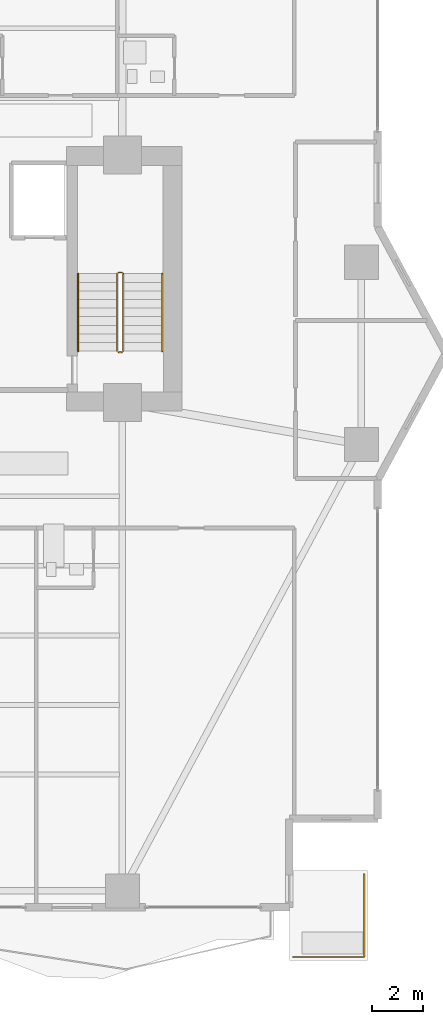
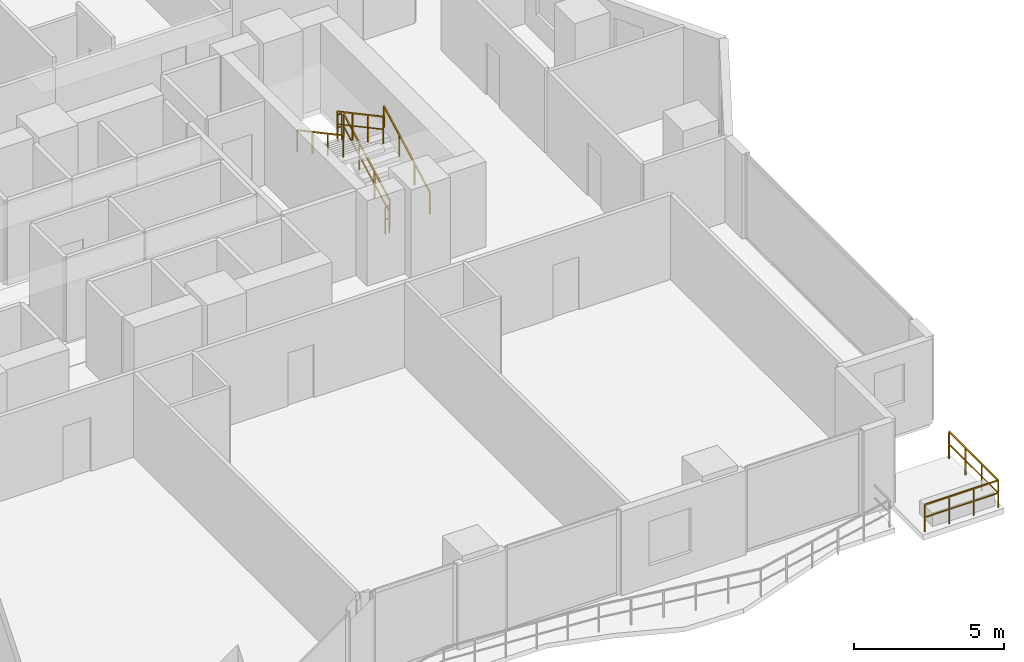
# One storey, part 28 of 30: 7 railings.
"""IFC4 building model written with IfcOpenShell, lengths in metres."""

from ifc_helpers import new_model, si_unit, direction, frame, origin, origin_2d, place, context, subcontext, project, spatial, rectangle, extrude, material, type_object, element, save


model = new_model("IFC4")

# Units and contexts
model_context = context("Model", 3, precision=1e-05, world=origin(), true_north=direction((0.0, 1.0)))
body_context = subcontext(model_context, "Body", "Model", "MODEL_VIEW")
ifc_project = project(units=[si_unit("LENGTHUNIT", "METRE"), si_unit("AREAUNIT", "SQUARE_METRE"), si_unit("VOLUMEUNIT", "CUBIC_METRE"), si_unit("PLANEANGLEUNIT", "RADIAN"), si_unit("MASSUNIT", "GRAM", prefix="KILO")], contexts=[model_context])

# Site, building, storey
site_placement = place(None, origin())
site = spatial("IfcSite", under=ifc_project, at=site_placement, CompositionType="ELEMENT")
building_placement = place(site_placement, origin())
building = spatial("IfcBuilding", under=site, at=building_placement, Name="Zuhayl Quay Hotel", CompositionType="ELEMENT")
storey_placement = place(building_placement, frame((0.0, 0.0, 135.800048828125)))
storey = spatial("IfcBuildingStorey", under=building, at=storey_placement, Name="L34", CompositionType="ELEMENT", Elevation=135.800048828125)

# Railings
ifc_material_1 = material(Name="Anodised Aluminium and Laminated Glass", Category="aluminium")
railing_type_1 = type_object("IfcRailingType", Name="RL_EXT_BAL_1100", PredefinedType="BALUSTRADE", material=ifc_material_1)
railing_1_placement = place(storey_placement, frame((20.5400390625, -17.360107421875, 0.0)))
element("IfcRailing", 1, at=railing_1_placement, inside=storey, type_object=railing_type_1, Name="L34 Balcony and Terrace Guard GR_L34_SPIRAL_SE", PredefinedType="BALUSTRADE", context=body_context, shape_type="SweptSolid", body=[
    extrude(rectangle(XDim=0.048095703125, YDim=0.048095703125, at=origin_2d()), frame((0.0, 0.0, 1.09619140625), z_axis=(1.0, 0.0, 0.0), x_axis=(0.0, 1.0, 0.0)), (0.0, 0.0, 1.0), 2.820068359375),
    extrude(rectangle(XDim=0.0361328125, YDim=0.0361328125, at=origin_2d()), frame((0.0, 0.0, 0.58251953125), z_axis=(1.0, 0.0, 0.0), x_axis=(0.0, 1.0, 0.0)), (0.0, 0.0, 1.0), 2.820068359375),
    extrude(rectangle(XDim=0.048095703125, YDim=0.048095703125, at=origin_2d()), frame((2.820068359375, 0.0, 1.09619140625), z_axis=(0.0, 1.0, 0.0), x_axis=(-1.0, 0.0, 0.0)), (0.0, 0.0, 1.0), 3.27001953125),
    extrude(rectangle(XDim=0.0361328125, YDim=0.0361328125, at=origin_2d()), frame((2.820068359375, 0.0, 0.58251953125), z_axis=(0.0, 1.0, 0.0), x_axis=(-1.0, 0.0, 0.0)), (0.0, 0.0, 1.0), 3.27001953125),
    extrude(rectangle(XDim=0.0419921875, YDim=0.0419921875, at=origin_2d()), origin(), (0.0, 0.0, 1.0), 1.072021484375),
    extrude(rectangle(XDim=0.0419921875, YDim=0.0419921875, at=origin_2d()), frame((0.93994140625, 0.0, 0.0)), (0.0, 0.0, 1.0), 1.072021484375),
    extrude(rectangle(XDim=0.0419921875, YDim=0.0419921875, at=origin_2d()), frame((1.880126953125, 0.0, 0.0)), (0.0, 0.0, 1.0), 1.072021484375),
    extrude(rectangle(XDim=0.0419921875, YDim=0.0419921875, at=origin_2d()), frame((2.820068359375, 0.0, 0.0)), (0.0, 0.0, 1.0), 1.072021484375),
    extrude(rectangle(XDim=0.0419921875, YDim=0.0419921875, at=origin_2d()), frame((2.820068359375, 1.090087890625, 0.0)), (0.0, 0.0, 1.0), 1.072021484375),
    extrude(rectangle(XDim=0.0419921875, YDim=0.0419921875, at=origin_2d()), frame((2.820068359375, 2.179931640625, 0.0)), (0.0, 0.0, 1.0), 1.072021484375),
    extrude(rectangle(XDim=0.0419921875, YDim=0.0419921875, at=origin_2d()), frame((2.820068359375, 3.27001953125, 0.0)), (0.0, 0.0, 1.0), 1.072021484375),
])
ifc_material_2 = material(Name="Steel ASTM A992 Grade 50", Category="steel")
railing_type_2 = type_object("IfcRailingType", Name="RL_GUARD_1100", PredefinedType="GUARDRAIL", material=ifc_material_2)
railing_2_placement = place(storey_placement, frame((13.840087890625, 6.590087890625, 0.182373046875)))
element("IfcRailing", 2, at=railing_2_placement, inside=storey, type_object=railing_type_2, Name="L34 ST2 stair guard 1", PredefinedType="GUARDRAIL", context=body_context, shape_type="SweptSolid", body=[
    extrude(rectangle(XDim=0.048095703125, YDim=0.048095703125, at=origin_2d()), frame((0.0, 0.0, 1.09619140625), z_axis=(0.0, 0.88107310026, 0.472980117973), x_axis=(-1.0, 0.0, 0.0)), (0.0, 0.0, 1.0), 3.472900390625),
    extrude(rectangle(XDim=0.0361328125, YDim=0.0361328125, at=origin_2d()), frame((0.0, 0.0, 0.58251953125), z_axis=(0.0, 0.88107310026, 0.472980117973), x_axis=(-1.0, 0.0, 0.0)), (0.0, 0.0, 1.0), 3.472900390625),
    extrude(rectangle(XDim=0.0419921875, YDim=0.0419921875, at=origin_2d()), origin(), (0.0, 0.0, 1.0), 1.072021484375),
    extrude(rectangle(XDim=0.0419921875, YDim=0.0419921875, at=origin_2d()), frame((0.0, 1.02001953125, 0.547607421875)), (0.0, 0.0, 1.0), 1.072021484375),
    extrude(rectangle(XDim=0.0419921875, YDim=0.0419921875, at=origin_2d()), frame((0.0, 2.039794921875, 1.094970703125)), (0.0, 0.0, 1.0), 1.072021484375),
    extrude(rectangle(XDim=0.0419921875, YDim=0.0419921875, at=origin_2d()), frame((0.0, 3.059814453125, 1.642578125)), (0.0, 0.0, 1.0), 1.072021484375),
])
railing_3_placement = place(storey_placement, frame((13.7900390625, 9.699951171875, 1.824951171875)))
element("IfcRailing", 3, at=railing_3_placement, inside=storey, type_object=railing_type_2, Name="L34 ST2 stair guard 2", PredefinedType="GUARDRAIL", context=body_context, shape_type="SweptSolid", body=[
    extrude(rectangle(XDim=0.048095703125, YDim=0.048095703125, at=origin_2d()), frame((0.0, 0.0, 1.09619140625), z_axis=(-1.0, 0.0, 0.0), x_axis=(0.0, -1.0, 0.0)), (0.0, 0.0, 1.0), 0.150146484375),
    extrude(rectangle(XDim=0.0361328125, YDim=0.0361328125, at=origin_2d()), frame((0.0, 0.0, 0.58251953125), z_axis=(-1.0, 0.0, 0.0), x_axis=(0.0, -1.0, 0.0)), (0.0, 0.0, 1.0), 0.150146484375),
    extrude(rectangle(XDim=0.0419921875, YDim=0.0419921875, at=origin_2d()), origin(), (0.0, 0.0, 1.0), 1.072021484375),
    extrude(rectangle(XDim=0.0419921875, YDim=0.0419921875, at=origin_2d()), frame((-0.150146484375, 0.0, 0.0)), (0.0, 0.0, 1.0), 1.072021484375),
])
railing_4_placement = place(storey_placement, frame((13.590087890625, 9.64990234375, 2.007568359375)))
element("IfcRailing", 4, at=railing_4_placement, inside=storey, type_object=railing_type_2, Name="L34 ST2 stair guard 3", PredefinedType="GUARDRAIL", context=body_context, shape_type="SweptSolid", body=[
    extrude(rectangle(XDim=0.048095703125, YDim=0.048095703125, at=origin_2d()), frame((0.0, 0.0, 1.09619140625), z_axis=(0.0, -0.881102395774, 0.472925541879), x_axis=(1.0, 0.0, 0.0)), (0.0, 0.0, 1.0), 3.47265625),
    extrude(rectangle(XDim=0.0361328125, YDim=0.0361328125, at=origin_2d()), frame((0.0, 0.0, 0.58251953125), z_axis=(0.0, -0.881102395774, 0.472925541879), x_axis=(1.0, 0.0, 0.0)), (0.0, 0.0, 1.0), 3.47265625),
    extrude(rectangle(XDim=0.0419921875, YDim=0.0419921875, at=origin_2d()), origin(), (0.0, 0.0, 1.0), 1.072021484375),
    extrude(rectangle(XDim=0.0419921875, YDim=0.0419921875, at=origin_2d()), frame((0.0, -1.02001953125, 0.54736328125)), (0.0, 0.0, 1.0), 1.072021484375),
    extrude(rectangle(XDim=0.0419921875, YDim=0.0419921875, at=origin_2d()), frame((0.0, -2.039794921875, 1.094970703125)), (0.0, 0.0, 1.0), 1.072021484375),
    extrude(rectangle(XDim=0.0419921875, YDim=0.0419921875, at=origin_2d()), frame((0.0, -3.059814453125, 1.642333984375)), (0.0, 0.0, 1.0), 1.072021484375),
])
railing_5_placement = place(storey_placement, frame((13.7900390625, 6.5400390625, 0.0)))
element("IfcRailing", 5, at=railing_5_placement, inside=storey, type_object=railing_type_2, Name="L34 ST2 stair guard 4", PredefinedType="GUARDRAIL", context=body_context, shape_type="SweptSolid", body=[
    extrude(rectangle(XDim=0.048095703125, YDim=0.048095703125, at=origin_2d()), frame((0.0, 0.0, 1.09619140625), z_axis=(-1.0, 0.0, 0.0), x_axis=(0.0, -1.0, 0.0)), (0.0, 0.0, 1.0), 0.150146484375),
    extrude(rectangle(XDim=0.0361328125, YDim=0.0361328125, at=origin_2d()), frame((0.0, 0.0, 0.58251953125), z_axis=(-1.0, 0.0, 0.0), x_axis=(0.0, -1.0, 0.0)), (0.0, 0.0, 1.0), 0.150146484375),
    extrude(rectangle(XDim=0.0419921875, YDim=0.0419921875, at=origin_2d()), origin(), (0.0, 0.0, 1.0), 1.072021484375),
    extrude(rectangle(XDim=0.0419921875, YDim=0.0419921875, at=origin_2d()), frame((-0.150146484375, 0.0, 0.0)), (0.0, 0.0, 1.0), 1.072021484375),
])
railing_type_3 = type_object("IfcRailingType", Name="RL_HANDRAIL_920", PredefinedType="HANDRAIL", material=ifc_material_2)
railing_6_placement = place(storey_placement, frame((15.3798828125, 6.590087890625, 0.182373046875)))
element("IfcRailing", 6, at=railing_6_placement, inside=storey, type_object=railing_type_3, Name="L34 ST2 stair handrail 1", PredefinedType="HANDRAIL", context=body_context, shape_type="SweptSolid", body=[
    extrude(rectangle(XDim=0.048095703125, YDim=0.048095703125, at=origin_2d()), frame((0.0, 0.0, 0.8759765625), z_axis=(0.0, 0.88107310026, 0.472980117973), x_axis=(-1.0, 0.0, 0.0)), (0.0, 0.0, 1.0), 3.472900390625),
    extrude(rectangle(XDim=0.0419921875, YDim=0.0419921875, at=origin_2d()), origin(), (0.0, 0.0, 1.0), 0.851806640625),
    extrude(rectangle(XDim=0.0419921875, YDim=0.0419921875, at=origin_2d()), frame((0.0, 1.02001953125, 0.547607421875)), (0.0, 0.0, 1.0), 0.851806640625),
    extrude(rectangle(XDim=0.0419921875, YDim=0.0419921875, at=origin_2d()), frame((0.0, 2.039794921875, 1.094970703125)), (0.0, 0.0, 1.0), 0.851806640625),
    extrude(rectangle(XDim=0.0419921875, YDim=0.0419921875, at=origin_2d()), frame((0.0, 3.059814453125, 1.642578125)), (0.0, 0.0, 1.0), 0.851806640625),
])
railing_7_placement = place(storey_placement, frame((12.050048828125, 9.64990234375, 2.007568359375)))
element("IfcRailing", 7, at=railing_7_placement, inside=storey, type_object=railing_type_3, Name="L34 ST2 stair handrail 2", PredefinedType="HANDRAIL", context=body_context, shape_type="SweptSolid", body=[
    extrude(rectangle(XDim=0.048095703125, YDim=0.048095703125, at=origin_2d()), frame((0.0, 0.0, 0.8759765625), z_axis=(0.0, -0.881102395774, 0.472925541879), x_axis=(1.0, 0.0, 0.0)), (0.0, 0.0, 1.0), 3.47265625),
    extrude(rectangle(XDim=0.0419921875, YDim=0.0419921875, at=origin_2d()), origin(), (0.0, 0.0, 1.0), 0.851806640625),
    extrude(rectangle(XDim=0.0419921875, YDim=0.0419921875, at=origin_2d()), frame((0.0, -1.02001953125, 0.54736328125)), (0.0, 0.0, 1.0), 0.851806640625),
    extrude(rectangle(XDim=0.0419921875, YDim=0.0419921875, at=origin_2d()), frame((0.0, -2.039794921875, 1.094970703125)), (0.0, 0.0, 1.0), 0.851806640625),
    extrude(rectangle(XDim=0.0419921875, YDim=0.0419921875, at=origin_2d()), frame((0.0, -3.059814453125, 1.642333984375)), (0.0, 0.0, 1.0), 0.851806640625),
])

save(model, "model.ifc")
